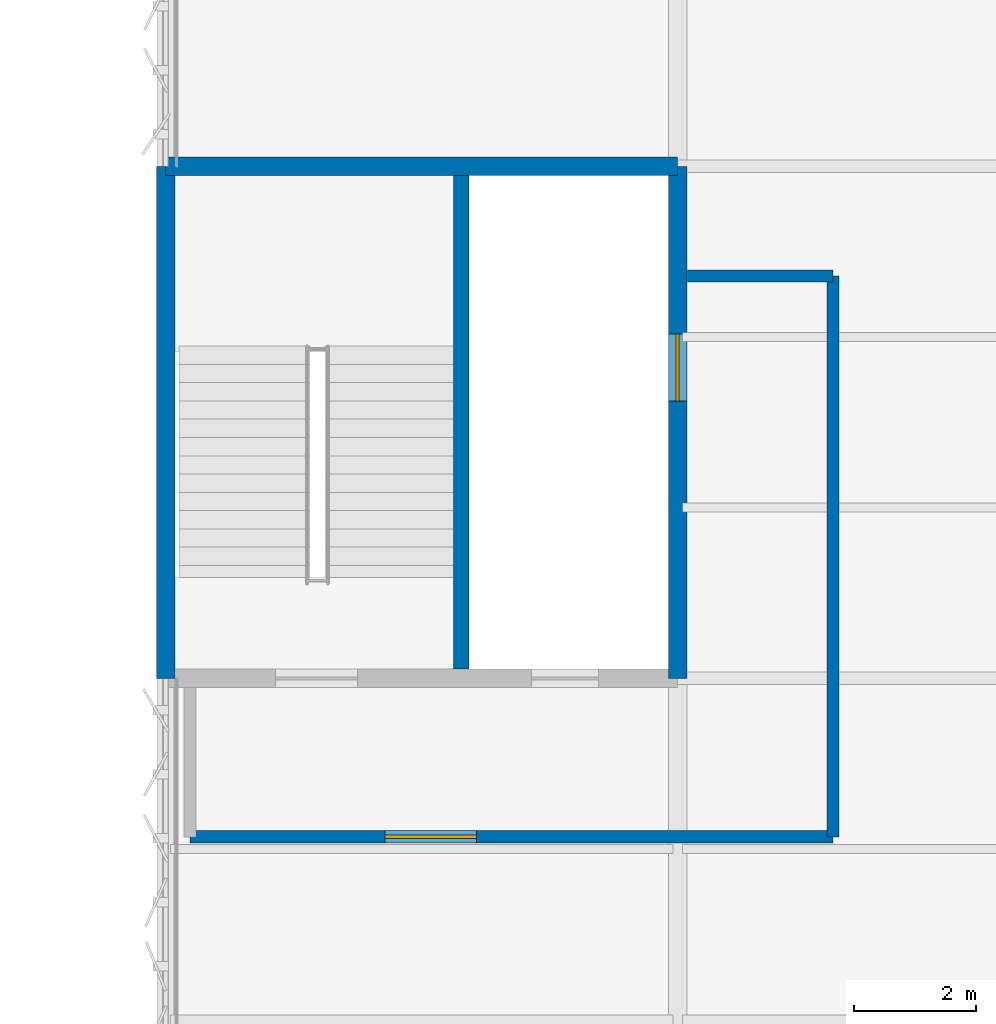
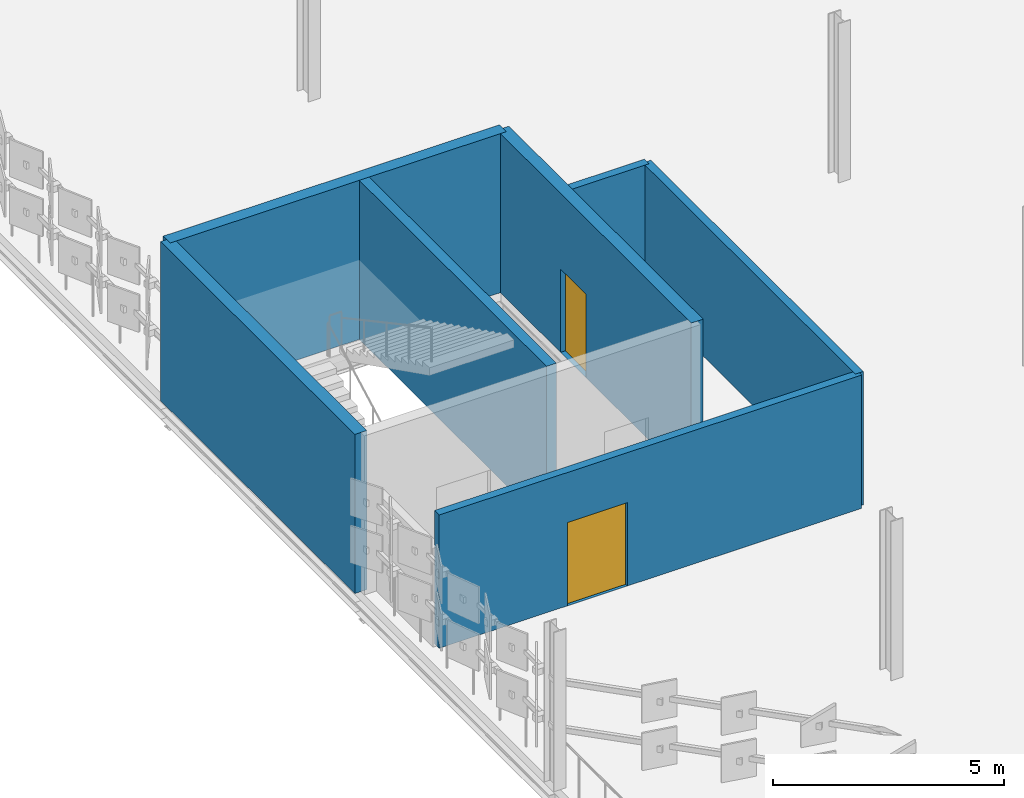
# One storey, part 49 of 69: 7 walls, 2 doors, 2 openings.
"""IFC4 building model written with IfcOpenShell, lengths in metres."""

from ifc_helpers import new_model, si_unit, direction, frame, frame_2d, origin, place, context, subcontext, project, spatial, rectangle, extrude, material, layer, layer_set, type_object, element, fill, save


model = new_model("IFC4")

# Units and contexts
model_context = context("Model", 3, precision=1e-05, world=origin(), true_north=direction((0.0, 1.0)))
body_context = subcontext(model_context, "Body", "Model", "MODEL_VIEW")
ifc_project = project(units=[si_unit("LENGTHUNIT", "METRE"), si_unit("AREAUNIT", "SQUARE_METRE"), si_unit("VOLUMEUNIT", "CUBIC_METRE"), si_unit("PLANEANGLEUNIT", "RADIAN"), si_unit("MASSUNIT", "GRAM", prefix="KILO")], contexts=[model_context])

# Site, building, storey
site_placement = place(None, origin())
site = spatial("IfcSite", under=ifc_project, at=site_placement, CompositionType="ELEMENT")
building_placement = place(site_placement, origin())
building = spatial("IfcBuilding", under=site, at=building_placement, Name="Qalvenar Corner Mobility Hub", CompositionType="ELEMENT")
storey_placement = place(building_placement, frame((0.0, 0.0, 13.199951171875)))
storey = spatial("IfcBuildingStorey", under=building, at=storey_placement, Name="L03", CompositionType="ELEMENT", Elevation=13.199951171875)

# Wall
ifc_material_1 = material(Name="Concrete C40/50", Category="concrete")
ifc_layer_1 = layer(ifc_material_1, 0.25)
ifc_layer_set_1 = layer_set([ifc_layer_1], Name="Concrete C40/50")
wall_type_1 = type_object("IfcWallType", Name="WL-CORE250", PredefinedType="SHEAR", material=ifc_layer_set_1)
wall_1_placement = place(storey_placement, frame((63.64990234375, 84.14990234375, 0.0), z_axis=(0.0, 0.0, 1.0), x_axis=(0.0, 1.0, 0.0)))
element("IfcWall", 1, at=wall_1_placement, inside=storey, type_object=wall_type_1, Name="Core Divider Wall C3-L03", PredefinedType="SHEAR", context=body_context, shape_type="SweptSolid", body=[
    extrude(rectangle(XDim=8.10009765625, YDim=0.25, at=frame_2d((4.050048828125, 0.0))), origin(), (0.0, 0.0, 1.0), 4.199951171875),
])

# Wall, opening, door
ifc_layer_2 = layer(ifc_material_1, 0.300048828125)
ifc_layer_set_2 = layer_set([ifc_layer_2], Name="Concrete C40/50")
wall_type_2 = type_object("IfcWallType", Name="WL-CORE300", PredefinedType="SHEAR", material=ifc_layer_set_2)
wall_2_placement = place(storey_placement, frame((67.199951171875, 84.0, 0.0), z_axis=(0.0, 0.0, 1.0), x_axis=(0.0, 1.0, 0.0)))
wall_2 = element("IfcWall", 2, at=wall_2_placement, inside=storey, type_object=wall_type_2, Name="Core Shear Wall C3-L03-E", PredefinedType="SHEAR", context=body_context, shape_type="SweptSolid", body=[
    extrude(rectangle(XDim=8.39990234375, YDim=0.300048828125, at=frame_2d((4.199951171875, 0.0))), origin(), (0.0, 0.0, 1.0), 4.199951171875),
])
opening_1_placement = place(wall_2_placement, frame((4.550048828125, 0.0, 0.0)))
opening_1 = element("IfcOpeningElement", 3, at=opening_1_placement, cuts=wall_2, Name="Opening DR-209", PredefinedType="OPENING", context=body_context, shape_type="SweptSolid", body=[
    extrude(rectangle(XDim=1.10009765625, YDim=2.199951171875, at=frame_2d((0.550048828125, 1.10009765625))), frame((0.0, 0.16015625, 0.0), z_axis=(0.0, -1.0, 0.0), x_axis=(1.0, 0.0, 0.0)), (0.0, 0.0, 1.0), 0.320068359375),
])
ifc_material_2 = material(Name="Stainless Steel Lift Landing Door", Category="steel")
door_type_1 = type_object("IfcDoorType", Name="DR-LIFT-110", OperationType="SLIDING_TO_LEFT", PredefinedType="DOOR", material=ifc_material_2)
door_1_placement = place(opening_1_placement, origin())
door_1 = element("IfcDoor", 4, at=door_1_placement, inside=storey, type_object=door_type_1, Name="DR-209 Lift Landing Door LP3-L03", OperationType="SLIDING_TO_RIGHT", OverallHeight=2.199951171875, OverallWidth=1.10009765625, PredefinedType="DOOR", context=body_context, shape_type="SweptSolid", body=[
    extrude(rectangle(XDim=1.10009765625, YDim=2.199951171875, at=frame_2d((0.550048828125, 1.10009765625))), frame((0.0, 0.02490234375, 0.0), z_axis=(0.0, -1.0, 0.0), x_axis=(1.0, 0.0, 0.0)), (0.0, 0.0, 1.0), 0.050048828125),
])
fill(opening_1, door_1)

# Walls
for number, where, z_axis, x_axis, name in (
    (5, (67.199951171875, 92.39990234375, 0.0), (0.0, 0.0, 1.0), (-1.0, 0.0, 0.0), "Core Shear Wall C3-L03-N"),
    (6, (58.800048828125, 92.39990234375, 0.0), (0.0, 0.0, 1.0), (0.0, -1.0, 0.0), "Core Shear Wall C3-L03-W"),
):
    element("IfcWall", number, at=place(storey_placement, frame(where, z_axis=z_axis, x_axis=x_axis)), inside=storey, type_object=wall_type_2, Name=name, PredefinedType="SHEAR", context=body_context, shape_type="SweptSolid", body=[
        extrude(rectangle(XDim=8.39990234375, YDim=0.300048828125, at=frame_2d((4.199951171875, 0.0))), origin(), (0.0, 0.0, 1.0), 4.199951171875),
    ])

# Wall, opening, door
ifc_material_3 = material(Name="Concrete Blockwork Masonry", Category="masonry")
ifc_layer_3 = layer(ifc_material_3, 0.199951171875)
ifc_layer_set_3 = layer_set([ifc_layer_3], Name="Concrete Blockwork Masonry")
wall_type_3 = type_object("IfcWallType", Name="WL-LOBBY200", PredefinedType="PARTITIONING", material=ifc_layer_set_3)
wall_3_placement = place(storey_placement, frame((59.199951171875, 81.39990234375, 0.0), z_axis=(0.0, 0.0, 1.0), x_axis=(1.0, 0.0, 0.0)))
wall_3 = element("IfcWall", 7, at=wall_3_placement, inside=storey, type_object=wall_type_3, Name="Interior Partition WL-LOB-C3-L03-S", PredefinedType="PARTITIONING", context=body_context, shape_type="SweptSolid", body=[
    extrude(rectangle(XDim=10.550048828125, YDim=0.199951171875, at=frame_2d((5.27490234375, 0.0))), origin(), (0.0, 0.0, 1.0), 3.52001953125),
])
opening_2_placement = place(wall_3_placement, frame((3.199951171875, 0.0, 0.0)))
opening_2 = element("IfcOpeningElement", 8, at=opening_2_placement, cuts=wall_3, Name="Opening DR-210", PredefinedType="OPENING", context=body_context, shape_type="SweptSolid", body=[
    extrude(rectangle(XDim=1.5, YDim=2.199951171875, at=frame_2d((0.75, 1.10009765625))), frame((0.0, 0.10986328125, 0.0), z_axis=(0.0, -1.0, 0.0), x_axis=(1.0, 0.0, 0.0)), (0.0, 0.0, 1.0), 0.219970703125),
])
ifc_material_4 = material(Name="Firefighting Lobby Smoke-Control Door FD60", Category="steel")
door_type_2 = type_object("IfcDoorType", Name="DR-FFLOB-150", OperationType="DOUBLE_DOOR_SINGLE_SWING", PredefinedType="DOOR", material=ifc_material_4)
door_2_placement = place(opening_2_placement, origin())
door_2 = element("IfcDoor", 9, at=door_2_placement, inside=storey, type_object=door_type_2, Name="DR-210 Lift Lobby Smoke Door C3-L03", OperationType="DOUBLE_DOOR_SINGLE_SWING", OverallHeight=2.199951171875, OverallWidth=1.5, PredefinedType="DOOR", context=body_context, shape_type="SweptSolid", body=[
    extrude(rectangle(XDim=1.5, YDim=2.199951171875, at=frame_2d((0.75, 1.10009765625))), frame((0.0, 0.02490234375, 0.0), z_axis=(0.0, -1.0, 0.0), x_axis=(1.0, 0.0, 0.0)), (0.0, 0.0, 1.0), 0.050048828125),
])
fill(opening_2, door_2)

# Walls
wall_4_placement = place(storey_placement, frame((69.75, 81.39990234375, 0.0), z_axis=(0.0, 0.0, 1.0), x_axis=(0.0, 1.0, 0.0)))
element("IfcWall", 10, at=wall_4_placement, inside=storey, type_object=wall_type_3, Name="Interior Partition WL-LOB-C3-L03-E", PredefinedType="PARTITIONING", context=body_context, shape_type="SweptSolid", body=[
    extrude(rectangle(XDim=9.2001953125, YDim=0.199951171875, at=frame_2d((4.60009765625, 0.0))), origin(), (0.0, 0.0, 1.0), 3.52001953125),
])
wall_5_placement = place(storey_placement, frame((67.360107421875, 90.60009765625, 0.0), z_axis=(0.0, 0.0, 1.0), x_axis=(1.0, 0.0, 0.0)))
element("IfcWall", 11, at=wall_5_placement, inside=storey, type_object=wall_type_3, Name="Interior Partition WL-LOB-C3-L03-N", PredefinedType="PARTITIONING", context=body_context, shape_type="SweptSolid", body=[
    extrude(rectangle(XDim=2.389892578125, YDim=0.199951171875, at=frame_2d((1.19482421875, 0.0))), origin(), (0.0, 0.0, 1.0), 3.52001953125),
])

save(model, "model.ifc")
